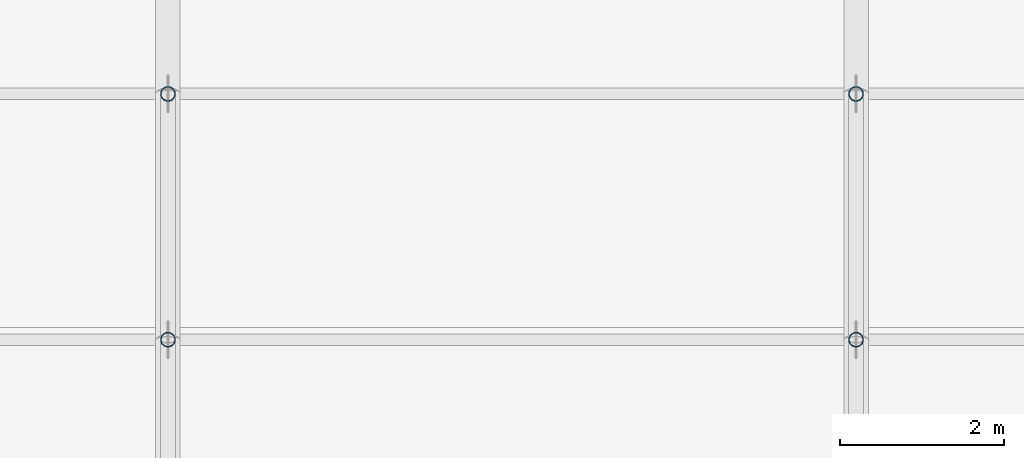
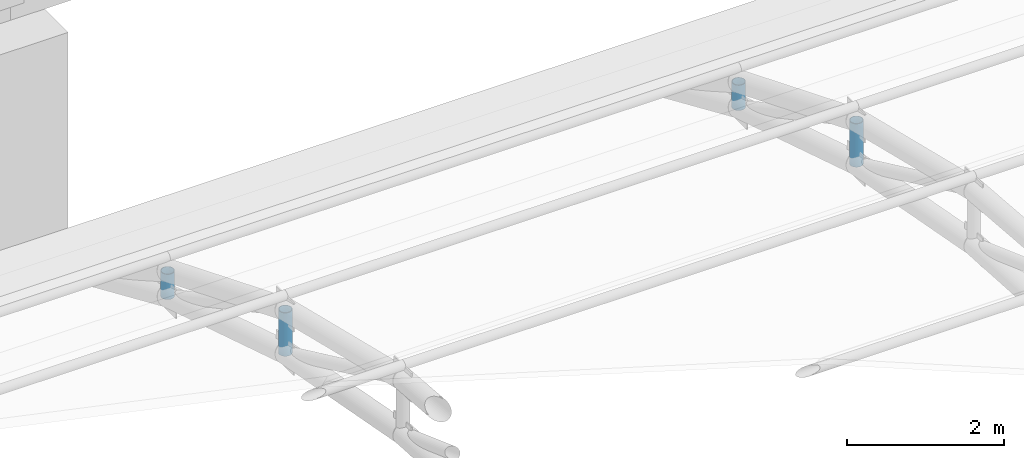
# One storey, part 87 of 163: 4 members.
"""IFC4 building model written with IfcOpenShell, lengths in metres."""

import ifcopenshell
import ifcopenshell.guid

model = None  # the IFC model being written
_history = None  # IfcOwnerHistory: only IFC2X3 demands one
_inside = {}  # id of a spatial element -> (the spatial element, [elements in it])
_under = {}  # id of a project, library or spatial element -> (it, [spatial elements below it])
_declared = {}  # id of a project -> (the project, [libraries it declares])
_typed = {}  # id of a type object -> (the type object, [elements of that type])
_made_of = {}  # id of a material, layer set ... -> (it, [elements and type objects made of it])


def new_model(schema):
    """Start an empty IFC model of exactly this schema.

    Asked for "IFC4X3", IfcOpenShell would pick the latest addendum, in which some entities
    have other attributes; the version numbers below select the first issue.
    IFC2X3 requires an IfcOwnerHistory on every rooted entity: one is made here for all.
    """
    global model, _history
    if schema == "IFC4X3":
        model = ifcopenshell.file(schema_version=(4, 3, 0, 0))
    else:
        model = ifcopenshell.file(schema=schema)
    _inside.clear()
    _under.clear()
    _declared.clear()
    _typed.clear()
    _made_of.clear()
    _history = None
    if model.schema == "IFC2X3":
        org = make("IfcOrganization", Name="unknown")
        user = make(
            "IfcPersonAndOrganization",
            ThePerson=make("IfcPerson", FamilyName="unknown"),
            TheOrganization=org,
        )
        app = make(
            "IfcApplication",
            ApplicationDeveloper=org,
            Version="unknown",
            ApplicationFullName="unknown",
            ApplicationIdentifier="unknown",
        )
        _history = make(
            "IfcOwnerHistory",
            OwningUser=user,
            OwningApplication=app,
            ChangeAction="ADDED",
            CreationDate=0,
        )
    return model


def make(cls, **values):
    """One entity of the class cls with the attributes given. An attribute that is None is left unset."""
    return model.create_entity(
        cls, **{name: value for name, value in values.items() if value is not None}
    )


def rooted(cls, **values):
    """An entity with a GlobalId (a new one), such as an element, a storey or a relation."""
    return make(cls, GlobalId=ifcopenshell.guid.new(), OwnerHistory=_history, **values)


def si_unit(unit_type, name, prefix=None):
    """IfcSIUnit, for example si_unit("LENGTHUNIT", "METRE", prefix="MILLI")."""
    return make("IfcSIUnit", UnitType=unit_type, Prefix=prefix, Name=name)


def assignment(units):
    """IfcUnitAssignment: the units of a project."""
    return None if units is None else make("IfcUnitAssignment", Units=units)


def point(xyz):
    """IfcCartesianPoint."""
    return None if xyz is None else make("IfcCartesianPoint", Coordinates=xyz)


def direction(xyz):
    """IfcDirection."""
    return None if xyz is None else make("IfcDirection", DirectionRatios=xyz)


def frame(location, z_axis=None, x_axis=None):
    """IfcAxis2Placement3D, a coordinate frame: its origin and axes. An axis left out is left unset."""
    return make(
        "IfcAxis2Placement3D",
        Location=point(location),
        Axis=direction(z_axis),
        RefDirection=direction(x_axis),
    )


def frame_2d(location, x_axis=None):
    """IfcAxis2Placement2D, a coordinate frame in the plane: its origin and x axis."""
    return make(
        "IfcAxis2Placement2D", Location=point(location), RefDirection=direction(x_axis)
    )


def origin():
    """The frame at (0, 0, 0) with its axes left unset."""
    return frame((0.0, 0.0, 0.0))


def origin_2d():
    """The frame at (0, 0) in the plane with its x axis left unset."""
    return frame_2d((0.0, 0.0))


def place(relative_to, where):
    """IfcLocalPlacement: puts the frame where relative to a parent placement (None: the world)."""
    return make(
        "IfcLocalPlacement", PlacementRelTo=relative_to, RelativePlacement=where
    )


def context(
    kind, dimensions, precision=None, world=None, true_north=None, identifier=None
):
    """IfcGeometricRepresentationContext, for example the 3D "Model" context."""
    return make(
        "IfcGeometricRepresentationContext",
        ContextIdentifier=identifier,
        ContextType=kind,
        CoordinateSpaceDimension=dimensions,
        Precision=precision,
        WorldCoordinateSystem=world,
        TrueNorth=true_north,
    )


def subcontext(parent, identifier, kind, view, scale=None):
    """IfcGeometricRepresentationSubContext, for example "Body" below "Model"."""
    return make(
        "IfcGeometricRepresentationSubContext",
        ContextIdentifier=identifier,
        ContextType=kind,
        ParentContext=parent,
        TargetScale=scale,
        TargetView=view,
    )


def project(units=None, contexts=None):
    """IfcProject with its units and contexts."""
    return rooted(
        "IfcProject",
        Name="project",
        RepresentationContexts=contexts,
        UnitsInContext=assignment(units),
    )


def spatial(cls, under=None, at=None, **own):
    """A site, building, storey or space (cls), placed at a placement, below another one or the project."""
    s = rooted(cls, ObjectPlacement=at, **own)
    if under is not None:
        _under.setdefault(under.id(), (under, []))[1].append(s)
    return s


def profile(cls, at=None, kind="AREA", **sizes):
    """A parametric profile (cls). Its sizes go by their IFC names, for example OverallWidth=200.0."""
    return make(cls, ProfileType=kind, Position=at, **sizes)


def hollow_circle(**sizes):
    """IfcCircleHollowProfileDef."""
    return profile("IfcCircleHollowProfileDef", **sizes)


def extrude(swept, where, along, depth):
    """IfcExtrudedAreaSolid: the profile swept, set in the frame where, extruded along a direction by depth."""
    return make(
        "IfcExtrudedAreaSolid",
        SweptArea=swept,
        Position=where,
        ExtrudedDirection=direction(along),
        Depth=depth,
    )


def shape(context_of_items, identifier, shape_type, items):
    """IfcShapeRepresentation: the items that make up one representation, for example the "Body"."""
    return make(
        "IfcShapeRepresentation",
        ContextOfItems=context_of_items,
        RepresentationIdentifier=identifier,
        RepresentationType=shape_type,
        Items=items,
    )


def material(Name=None, Category=None):
    """IfcMaterial."""
    return make("IfcMaterial", Name=Name, Category=Category)


def material_profile(
    of_material, cross_section, Name=None, Category=None, Priority=None
):
    """IfcMaterialProfile: a cross section and its material."""
    return make(
        "IfcMaterialProfile",
        Name=Name,
        Material=of_material,
        Profile=cross_section,
        Priority=Priority,
        Category=Category,
    )


def profile_set(profiles, Name=None, composite=None):
    """IfcMaterialProfileSet."""
    return make(
        "IfcMaterialProfileSet",
        Name=Name,
        MaterialProfiles=profiles,
        CompositeProfile=composite,
    )


def made_of(thing, what):
    """Note that an element or type object is made of a material, layer set ...; save() writes the relation."""
    if what is not None:
        _made_of.setdefault(what.id(), (what, []))[1].append(thing)
    return thing


def type_object(cls, material=None, **own):
    """A type object (cls), such as IfcWallType, which elements share."""
    return made_of(rooted(cls, **own), material)


def element(
    cls,
    number,
    at=None,
    inside=None,
    cuts=None,
    type_object=None,
    material=None,
    context=None,
    identifier="Body",
    shape_type=None,
    held_by="IfcProductDefinitionShape",
    body=None,
    shapes=None,
    **own,
):
    """One element of the class cls, such as IfcWall. Its Tag is "e" and its number.

    at: its placement. inside: the storey or other place that contains it. cuts: it is an
    opening in that element (IfcRelVoidsElement). A single representation is given by context,
    identifier, shape_type and body (its items); several are given by shapes. held_by: the class
    of the entity that holds the representations. save() writes the other relations.
    """
    e = rooted(cls, Tag="e%d" % number, ObjectPlacement=at, **own)
    if body is not None:
        shapes = [shape(context, identifier, shape_type, body)]
    if shapes is not None:
        e.Representation = make(held_by, Representations=shapes)
    if inside is not None:
        _inside.setdefault(inside.id(), (inside, []))[1].append(e)
    if cuts is not None:
        rooted(
            "IfcRelVoidsElement", RelatingBuildingElement=cuts, RelatedOpeningElement=e
        )
    if type_object is not None:
        _typed.setdefault(type_object.id(), (type_object, []))[1].append(e)
    return made_of(e, material)


def aggregate(whole, parts):
    """IfcRelAggregates: a whole, such as a stair, and the parts it consists of."""
    return rooted("IfcRelAggregates", RelatingObject=whole, RelatedObjects=parts)


def save(model, path):
    """Write the relations noted so far, then the file.

    IfcRelAggregates (storeys below a building ...), IfcRelContainedInSpatialStructure (elements
    in a storey), IfcRelDefinesByType, IfcRelAssociatesMaterial and IfcRelDeclares: one each for
    every whole, place, type object, material and project.
    """
    for whole, parts in _under.values():
        aggregate(whole, parts)
    for where, things in _inside.values():
        rooted(
            "IfcRelContainedInSpatialStructure",
            RelatedElements=things,
            RelatingStructure=where,
        )
    for kind, things in _typed.values():
        rooted("IfcRelDefinesByType", RelatedObjects=things, RelatingType=kind)
    for what, things in _made_of.values():
        rooted("IfcRelAssociatesMaterial", RelatedObjects=things, RelatingMaterial=what)
    for by, libraries in _declared.values():
        rooted("IfcRelDeclares", RelatingContext=by, RelatedDefinitions=libraries)
    model.write(path)


model = new_model("IFC4")

# Units and contexts
model_context = context("Model", 3, precision=1e-05, world=origin(), true_north=direction((0.0, 1.0)))
body_context = subcontext(model_context, "Body", "Model", "MODEL_VIEW")
ifc_project = project(units=[si_unit("LENGTHUNIT", "METRE"), si_unit("AREAUNIT", "SQUARE_METRE"), si_unit("VOLUMEUNIT", "CUBIC_METRE"), si_unit("PLANEANGLEUNIT", "RADIAN"), si_unit("MASSUNIT", "GRAM", prefix="KILO")], contexts=[model_context])

# Site, building, storey
site_placement = place(None, origin())
site = spatial("IfcSite", under=ifc_project, at=site_placement, CompositionType="ELEMENT")
building_placement = place(site_placement, origin())
building = spatial("IfcBuilding", under=site, at=building_placement, Name="Rain Tree Exposition and Congress Centre", CompositionType="ELEMENT")
storey_placement = place(building_placement, frame((0.0, 0.0, 10.5)))
storey = spatial("IfcBuildingStorey", under=building, at=storey_placement, Name="L02", CompositionType="ELEMENT", Elevation=10.5)

# Members
ifc_material = material(Name="Steel S355J2H", Category="steel")
ifc_material_profile = material_profile(ifc_material, hollow_circle(Radius=0.090087890625, WallThickness=0.008056640625, at=origin_2d()), Name="CHS 180x8")
ifc_profile_set = profile_set([ifc_material_profile], Name="Steel S355J2H")
member_type = type_object("IfcMemberType", Name="Steel post member CHS 180x8", PredefinedType="POST", material=ifc_profile_set)
member_1_placement = place(storey_placement, frame((176.39990234375, 93.60009765625, 2.3798828125), z_axis=(0.0, 0.0, 1.0), x_axis=(1.0, 0.0, 0.0)))
element("IfcMember", 1, at=member_1_placement, inside=storey, type_object=member_type, Name="Roof truss 22 post 6", PredefinedType="POST", context=body_context, shape_type="SweptSolid", body=[
    extrude(hollow_circle(Radius=0.090087890625, WallThickness=0.008056640625, at=origin_2d()), origin(), (0.0, 0.0, 1.0), 0.675048828125),
])
member_2_placement = place(storey_placement, frame((176.39990234375, 96.60009765625, 1.4423828125), z_axis=(0.0, 0.0, 1.0), x_axis=(1.0, 0.0, 0.0)))
element("IfcMember", 2, at=member_2_placement, inside=storey, type_object=member_type, Name="Roof truss 22 post 7", PredefinedType="POST", context=body_context, shape_type="SweptSolid", body=[
    extrude(hollow_circle(Radius=0.090087890625, WallThickness=0.008056640625, at=origin_2d()), origin(), (0.0, 0.0, 1.0), 0.393798828125),
])
member_3_placement = place(storey_placement, frame((184.800048828125, 93.60009765625, 2.3798828125), z_axis=(0.0, 0.0, 1.0), x_axis=(1.0, 0.0, 0.0)))
element("IfcMember", 3, at=member_3_placement, inside=storey, type_object=member_type, Name="Roof truss 23 post 6", PredefinedType="POST", context=body_context, shape_type="SweptSolid", body=[
    extrude(hollow_circle(Radius=0.090087890625, WallThickness=0.008056640625, at=origin_2d()), origin(), (0.0, 0.0, 1.0), 0.675048828125),
])
member_4_placement = place(storey_placement, frame((184.800048828125, 96.60009765625, 1.4423828125), z_axis=(0.0, 0.0, 1.0), x_axis=(1.0, 0.0, 0.0)))
element("IfcMember", 4, at=member_4_placement, inside=storey, type_object=member_type, Name="Roof truss 23 post 7", PredefinedType="POST", context=body_context, shape_type="SweptSolid", body=[
    extrude(hollow_circle(Radius=0.090087890625, WallThickness=0.008056640625, at=origin_2d()), origin(), (0.0, 0.0, 1.0), 0.393798828125),
])

save(model, "model.ifc")
